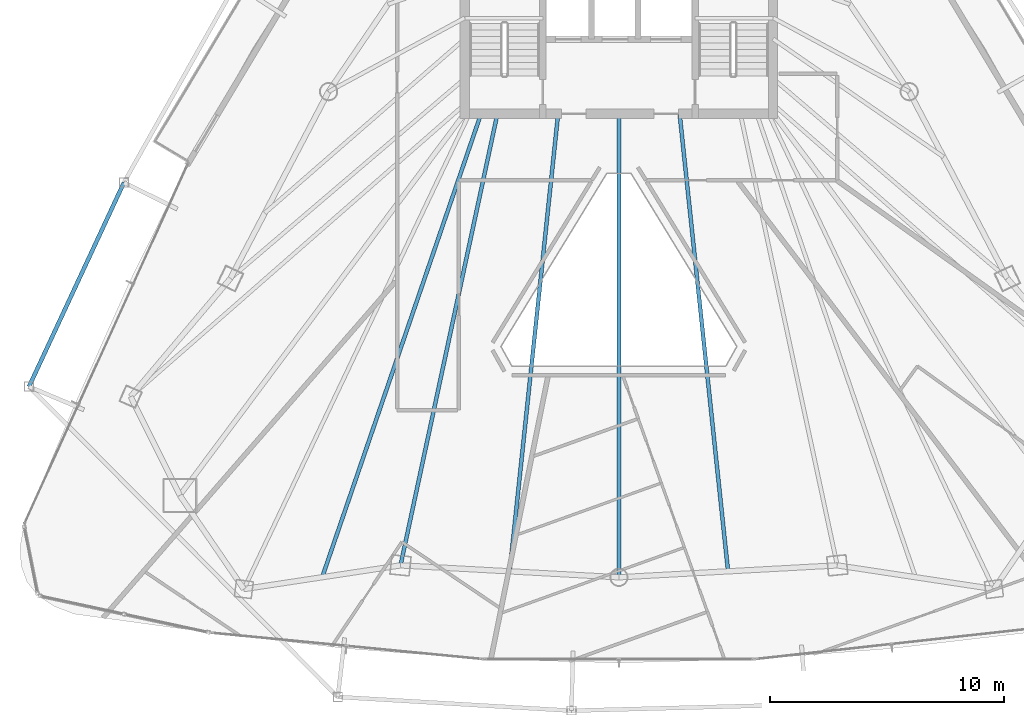
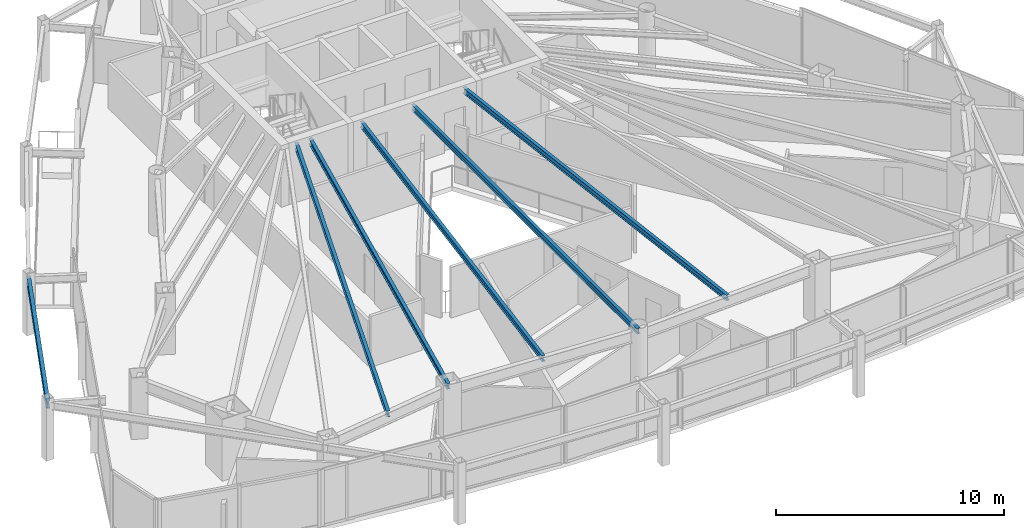
# One storey, part 9 of 30: 6 beams.
"""IFC4 building model written with IfcOpenShell, lengths in metres."""

from ifc_helpers import new_model, si_unit, direction, frame, origin, origin_2d, place, context, subcontext, project, spatial, i_section, extrude, material, material_profile, profile_set, type_object, element, save


model = new_model("IFC4")

# Units and contexts
model_context = context("Model", 3, precision=1e-05, world=origin(), true_north=direction((0.0, 1.0)))
body_context = subcontext(model_context, "Body", "Model", "MODEL_VIEW")
ifc_project = project(units=[si_unit("LENGTHUNIT", "METRE"), si_unit("AREAUNIT", "SQUARE_METRE"), si_unit("VOLUMEUNIT", "CUBIC_METRE"), si_unit("PLANEANGLEUNIT", "RADIAN"), si_unit("MASSUNIT", "GRAM", prefix="KILO")], contexts=[model_context])

# Site, building, storey
site_placement = place(None, origin())
site = spatial("IfcSite", under=ifc_project, at=site_placement, CompositionType="ELEMENT")
building_placement = place(site_placement, origin())
building = spatial("IfcBuilding", under=site, at=building_placement, Name="Orvanel Arch Residences", CompositionType="ELEMENT")
storey_placement = place(building_placement, frame((0.0, 0.0, 136.39990234375)))
storey = spatial("IfcBuildingStorey", under=building, at=storey_placement, Name="L38", CompositionType="ELEMENT", Elevation=136.39990234375)

# Beams
ifc_material = material(Name="Structural steel AS/NZS 3679.1 Grade 300 (300 MPa)", Category="steel")
ifc_material_profile_1 = material_profile(ifc_material, i_section(OverallWidth=0.1650390625, OverallDepth=0.303955078125, WebThickness=0.006103515625, FlangeThickness=0.01025390625, at=origin_2d()), Name="310UB40.4")
ifc_profile_set_1 = profile_set([ifc_material_profile_1], Name="Structural steel AS/NZS 3679.1 Grade 300 (300 MPa)")
beam_type_1 = type_object("IfcBeamType", Name="BJ-310UB", PredefinedType="JOIST", material=ifc_profile_set_1)
beam_1_placement = place(storey_placement, frame((27.800048828125, 26.699951171875, 2.908203125), z_axis=(-0.209808012425, -0.977742603103, 0.0), x_axis=(0.977742603103, -0.209808012425, 0.0)))
element("IfcBeam", 1, at=beam_1_placement, inside=storey, type_object=beam_type_1, Name="L38 SW Wing Floor Joist", PredefinedType="JOIST", context=body_context, shape_type="SweptSolid", body=[
    extrude(i_section(OverallWidth=0.1650390625, OverallDepth=0.303955078125, WebThickness=0.006103515625, FlangeThickness=0.01025390625, at=origin_2d()), origin(), (0.0, 0.0, 1.0), 19.785400390625),
])
beam_2_placement = place(storey_placement, frame((33.0, 26.699951171875, 2.908203125), z_axis=(0.0, -1.0, 0.0), x_axis=(1.0, 0.0, 0.0)))
element("IfcBeam", 2, at=beam_2_placement, inside=storey, type_object=beam_type_1, Name="L38 SSW Wing Floor Joist", PredefinedType="JOIST", context=body_context, shape_type="SweptSolid", body=[
    extrude(i_section(OverallWidth=0.1650390625, OverallDepth=0.303955078125, WebThickness=0.006103515625, FlangeThickness=0.01025390625, at=origin_2d()), origin(), (0.0, 0.0, 1.0), 19.85595703125),
])
for number, where, z_axis, x_axis, name in (
    (3, (30.39990234375, 26.699951171875, 2.908203125), (-0.105277340935, -0.994442900063, 0.0), (0.994442900063, -0.105277340935, 0.0), "L38 WSW2 Wing Floor Joist"),
    (4, (35.60009765625, 26.699951171875, 2.908203125), (0.105277340935, -0.994442900063, 0.0), (0.994442900063, 0.105277340935, 0.0), "L38 ESE2 Wing Floor Joist"),
):
    element("IfcBeam", number, at=place(storey_placement, frame(where, z_axis=z_axis, x_axis=x_axis)), inside=storey, type_object=beam_type_1, Name=name, PredefinedType="JOIST", context=body_context, shape_type="SweptSolid", body=[
        extrude(i_section(OverallWidth=0.1650390625, OverallDepth=0.303955078125, WebThickness=0.006103515625, FlangeThickness=0.01025390625, at=origin_2d()), origin(), (0.0, 0.0, 1.0), 19.70947265625),
    ])
beam_3_placement = place(storey_placement, frame((27.10009765625, 26.699951171875, 2.908203125), z_axis=(-0.324257108963, -0.945968988544, 0.0), x_axis=(0.945968988544, -0.324257108963, 0.0)))
element("IfcBeam", 5, at=beam_3_placement, inside=storey, type_object=beam_type_1, Name="L38 JADD1 Wing Floor Joist", PredefinedType="JOIST", context=body_context, shape_type="SweptSolid", body=[
    extrude(i_section(OverallWidth=0.1650390625, OverallDepth=0.303955078125, WebThickness=0.006103515625, FlangeThickness=0.01025390625, at=origin_2d()), origin(), (0.0, 0.0, 1.0), 20.987060546875),
])
ifc_material_profile_2 = material_profile(ifc_material, i_section(OverallWidth=0.177978515625, OverallDepth=0.406005859375, WebThickness=0.0078125, FlangeThickness=0.0126953125, at=origin_2d()), Name="410UB59.7")
ifc_profile_set_2 = profile_set([ifc_material_profile_2], Name="Structural steel AS/NZS 3679.1 Grade 300 (300 MPa)")
beam_type_2 = type_object("IfcBeamType", Name="OB-410UB-EXT", PredefinedType="SPANDREL", material=ifc_profile_set_2)
beam_4_placement = place(storey_placement, frame((11.805908203125, 23.748046875, 2.857177734375), z_axis=(-0.42175496515, -0.906709848502, 0.0), x_axis=(0.906709848502, -0.42175496515, 0.0)))
element("IfcBeam", 6, at=beam_4_placement, inside=storey, type_object=beam_type_2, Name="L38 Outer Perimeter Floor Ring Beam 03", PredefinedType="SPANDREL", context=body_context, shape_type="SweptSolid", body=[
    extrude(i_section(OverallWidth=0.177978515625, OverallDepth=0.406005859375, WebThickness=0.0078125, FlangeThickness=0.0126953125, at=origin_2d()), origin(), (0.0, 0.0, 1.0), 9.63818359375),
])

save(model, "model.ifc")
